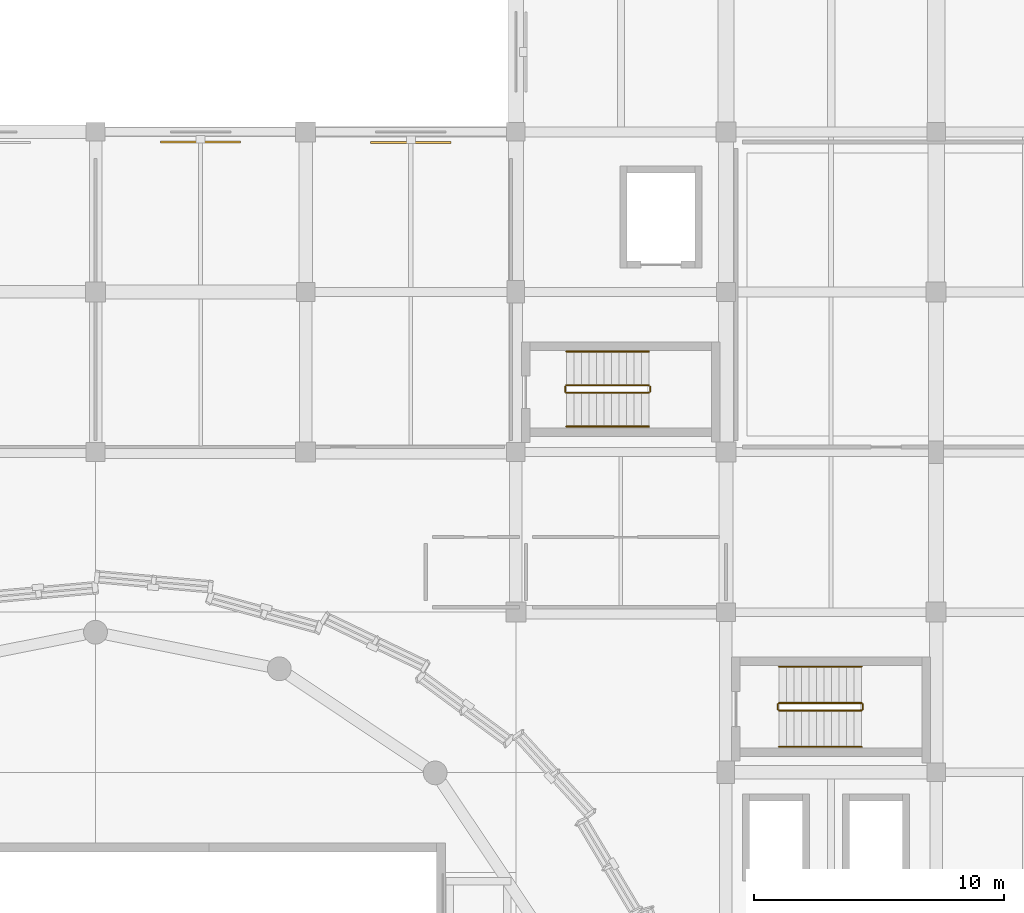
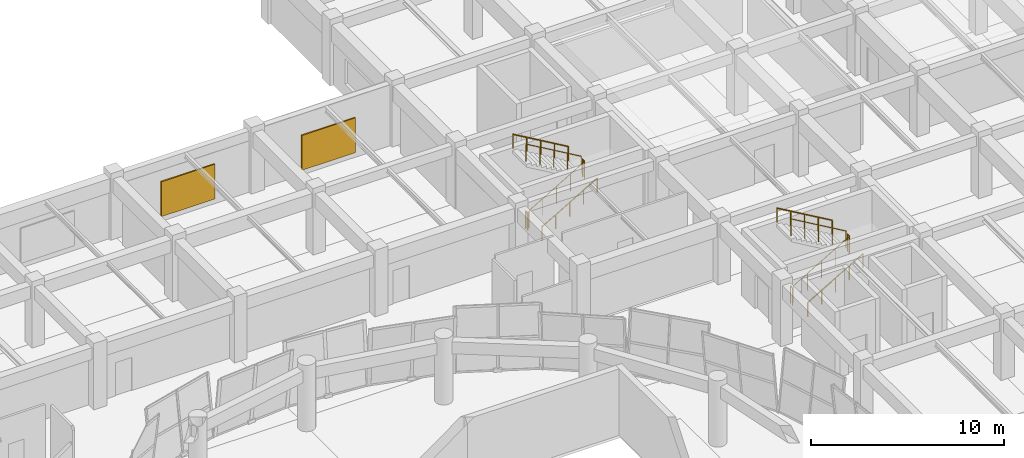
# One storey, part 68 of 71: 12 railings, 2 shading devices.
"""IFC4 building model written with IfcOpenShell, lengths in metres."""

from ifc_helpers import new_model, si_unit, direction, frame, origin, origin_2d, place, context, subcontext, project, spatial, rectangle, circle, extrude, material, layer, layer_set, type_object, element, save


model = new_model("IFC4")

# Units and contexts
model_context = context("Model", 3, precision=1e-05, world=origin(), true_north=direction((0.0, 1.0)))
body_context = subcontext(model_context, "Body", "Model", "MODEL_VIEW")
ifc_project = project(units=[si_unit("LENGTHUNIT", "METRE"), si_unit("AREAUNIT", "SQUARE_METRE"), si_unit("VOLUMEUNIT", "CUBIC_METRE"), si_unit("PLANEANGLEUNIT", "RADIAN"), si_unit("MASSUNIT", "GRAM", prefix="KILO")], contexts=[model_context])

# Site, building, storey
site_placement = place(None, origin())
site = spatial("IfcSite", under=ifc_project, at=site_placement, CompositionType="ELEMENT")
building_placement = place(site_placement, origin())
building = spatial("IfcBuilding", under=site, at=building_placement, Name="Korsvaeld Concert Hall", CompositionType="ELEMENT")
storey_placement = place(building_placement, frame((0.0, 0.0, 4.800048828125)))
storey = spatial("IfcBuildingStorey", under=building, at=storey_placement, Name="L01", CompositionType="ELEMENT", Elevation=4.800048828125)

# Railings
ifc_material_1 = material(Name="Powder-coated steel and bronze stair guardrail", Category="steel")
railing_type_1 = type_object("IfcRailingType", Name="RL-STAIR-GUARD-120", PredefinedType="GUARDRAIL", material=ifc_material_1)
railing_1_placement = place(storey_placement, frame((111.320068359375, 79.27001953125, 0.175048828125)))
element("IfcRailing", 1, at=railing_1_placement, inside=storey, type_object=railing_type_1, Name="L01 ST-K2 stair guard 1", PredefinedType="GUARDRAIL", context=body_context, shape_type="SweptSolid", body=[
    extrude(circle(Radius=0.02392578125, at=origin_2d()), frame((0.0, 0.0, 1.076171875), z_axis=(0.863804395585, 0.0, 0.503827317807), x_axis=(0.0, 1.0, 0.0)), (0.0, 0.0, 1.0), 3.8203125),
    extrude(circle(Radius=0.02099609375, at=origin_2d()), origin(), (0.0, 0.0, 1.0), 1.052001953125),
    extrude(circle(Radius=0.02099609375, at=origin_2d()), frame((0.824951171875, 0.0, 0.481201171875)), (0.0, 0.0, 1.0), 1.052001953125),
    extrude(circle(Radius=0.02099609375, at=origin_2d()), frame((1.64990234375, 0.0, 0.96240234375)), (0.0, 0.0, 1.0), 1.052001953125),
    extrude(circle(Radius=0.02099609375, at=origin_2d()), frame((2.47509765625, 0.0, 1.443603515625)), (0.0, 0.0, 1.0), 1.052001953125),
    extrude(circle(Radius=0.02099609375, at=origin_2d()), frame((3.300048828125, 0.0, 1.9248046875)), (0.0, 0.0, 1.0), 1.052001953125),
])
railing_2_placement = place(storey_placement, frame((114.669921875, 79.320068359375, 2.099853515625)))
element("IfcRailing", 2, at=railing_2_placement, inside=storey, type_object=railing_type_1, Name="L01 ST-K2 stair guard 2", PredefinedType="GUARDRAIL", context=body_context, shape_type="SweptSolid", body=[
    extrude(circle(Radius=0.02392578125, at=origin_2d()), frame((0.0, 0.0, 1.076171875), z_axis=(0.0, 1.0, 0.0), x_axis=(-1.0, 0.0, 0.0)), (0.0, 0.0, 1.0), 0.199951171875),
    extrude(circle(Radius=0.02099609375, at=origin_2d()), origin(), (0.0, 0.0, 1.0), 1.052001953125),
    extrude(circle(Radius=0.02099609375, at=origin_2d()), frame((0.0, 0.199951171875, 0.0)), (0.0, 0.0, 1.0), 1.052001953125),
])
railing_3_placement = place(storey_placement, frame((114.6201171875, 79.570068359375, 2.27490234375)))
element("IfcRailing", 3, at=railing_3_placement, inside=storey, type_object=railing_type_1, Name="L01 ST-K2 stair guard 3", PredefinedType="GUARDRAIL", context=body_context, shape_type="SweptSolid", body=[
    extrude(circle(Radius=0.02392578125, at=origin_2d()), frame((0.0, 0.0, 1.076171875), z_axis=(-0.863776583165, 0.0, 0.503874998761), x_axis=(0.0, -1.0, 0.0)), (0.0, 0.0, 1.0), 3.820556640625),
    extrude(circle(Radius=0.02099609375, at=origin_2d()), origin(), (0.0, 0.0, 1.0), 1.052001953125),
    extrude(circle(Radius=0.02099609375, at=origin_2d()), frame((-0.824951171875, 0.0, 0.481201171875)), (0.0, 0.0, 1.0), 1.052001953125),
    extrude(circle(Radius=0.02099609375, at=origin_2d()), frame((-1.64990234375, 0.0, 0.96240234375)), (0.0, 0.0, 1.0), 1.052001953125),
    extrude(circle(Radius=0.02099609375, at=origin_2d()), frame((-2.47509765625, 0.0, 1.44384765625)), (0.0, 0.0, 1.0), 1.052001953125),
    extrude(circle(Radius=0.02099609375, at=origin_2d()), frame((-3.300048828125, 0.0, 1.925048828125)), (0.0, 0.0, 1.0), 1.052001953125),
])
railing_4_placement = place(storey_placement, frame((111.27001953125, 79.320068359375, 0.0)))
element("IfcRailing", 4, at=railing_4_placement, inside=storey, type_object=railing_type_1, Name="L01 ST-K2 stair guard 4", PredefinedType="GUARDRAIL", context=body_context, shape_type="SweptSolid", body=[
    extrude(circle(Radius=0.02392578125, at=origin_2d()), frame((0.0, 0.0, 1.076171875), z_axis=(0.0, 1.0, 0.0), x_axis=(-1.0, 0.0, 0.0)), (0.0, 0.0, 1.0), 0.199951171875),
    extrude(circle(Radius=0.02099609375, at=origin_2d()), origin(), (0.0, 0.0, 1.0), 1.052001953125),
    extrude(circle(Radius=0.02099609375, at=origin_2d()), frame((0.0, 0.199951171875, 0.0)), (0.0, 0.0, 1.0), 1.052001953125),
])
railing_5_placement = place(storey_placement, frame((102.820068359375, 91.969970703125, 0.175048828125)))
element("IfcRailing", 5, at=railing_5_placement, inside=storey, type_object=railing_type_1, Name="L01 ST-K6 stair guard 1", PredefinedType="GUARDRAIL", context=body_context, shape_type="SweptSolid", body=[
    extrude(circle(Radius=0.02392578125, at=origin_2d()), frame((0.0, 0.0, 1.076171875), z_axis=(0.863804395585, 0.0, 0.503827317807), x_axis=(0.0, 1.0, 0.0)), (0.0, 0.0, 1.0), 3.8203125),
    extrude(circle(Radius=0.02099609375, at=origin_2d()), origin(), (0.0, 0.0, 1.0), 1.052001953125),
    extrude(circle(Radius=0.02099609375, at=origin_2d()), frame((0.824951171875, 0.0, 0.481201171875)), (0.0, 0.0, 1.0), 1.052001953125),
    extrude(circle(Radius=0.02099609375, at=origin_2d()), frame((1.64990234375, 0.0, 0.96240234375)), (0.0, 0.0, 1.0), 1.052001953125),
    extrude(circle(Radius=0.02099609375, at=origin_2d()), frame((2.47509765625, 0.0, 1.443603515625)), (0.0, 0.0, 1.0), 1.052001953125),
    extrude(circle(Radius=0.02099609375, at=origin_2d()), frame((3.300048828125, 0.0, 1.9248046875)), (0.0, 0.0, 1.0), 1.052001953125),
])
railing_6_placement = place(storey_placement, frame((106.169921875, 92.02001953125, 2.099853515625)))
element("IfcRailing", 6, at=railing_6_placement, inside=storey, type_object=railing_type_1, Name="L01 ST-K6 stair guard 2", PredefinedType="GUARDRAIL", context=body_context, shape_type="SweptSolid", body=[
    extrude(circle(Radius=0.02392578125, at=origin_2d()), frame((0.0, 0.0, 1.076171875), z_axis=(0.0, 1.0, 0.0), x_axis=(-1.0, 0.0, 0.0)), (0.0, 0.0, 1.0), 0.199951171875),
    extrude(circle(Radius=0.02099609375, at=origin_2d()), origin(), (0.0, 0.0, 1.0), 1.052001953125),
    extrude(circle(Radius=0.02099609375, at=origin_2d()), frame((0.0, 0.199951171875, 0.0)), (0.0, 0.0, 1.0), 1.052001953125),
])
railing_7_placement = place(storey_placement, frame((106.1201171875, 92.27001953125, 2.27490234375)))
element("IfcRailing", 7, at=railing_7_placement, inside=storey, type_object=railing_type_1, Name="L01 ST-K6 stair guard 3", PredefinedType="GUARDRAIL", context=body_context, shape_type="SweptSolid", body=[
    extrude(circle(Radius=0.02392578125, at=origin_2d()), frame((0.0, 0.0, 1.076171875), z_axis=(-0.863776583165, 0.0, 0.503874998761), x_axis=(0.0, -1.0, 0.0)), (0.0, 0.0, 1.0), 3.820556640625),
    extrude(circle(Radius=0.02099609375, at=origin_2d()), origin(), (0.0, 0.0, 1.0), 1.052001953125),
    extrude(circle(Radius=0.02099609375, at=origin_2d()), frame((-0.824951171875, 0.0, 0.481201171875)), (0.0, 0.0, 1.0), 1.052001953125),
    extrude(circle(Radius=0.02099609375, at=origin_2d()), frame((-1.64990234375, 0.0, 0.96240234375)), (0.0, 0.0, 1.0), 1.052001953125),
    extrude(circle(Radius=0.02099609375, at=origin_2d()), frame((-2.47509765625, 0.0, 1.44384765625)), (0.0, 0.0, 1.0), 1.052001953125),
    extrude(circle(Radius=0.02099609375, at=origin_2d()), frame((-3.300048828125, 0.0, 1.925048828125)), (0.0, 0.0, 1.0), 1.052001953125),
])
railing_8_placement = place(storey_placement, frame((102.77001953125, 92.02001953125, 0.0)))
element("IfcRailing", 8, at=railing_8_placement, inside=storey, type_object=railing_type_1, Name="L01 ST-K6 stair guard 4", PredefinedType="GUARDRAIL", context=body_context, shape_type="SweptSolid", body=[
    extrude(circle(Radius=0.02392578125, at=origin_2d()), frame((0.0, 0.0, 1.076171875), z_axis=(0.0, 1.0, 0.0), x_axis=(-1.0, 0.0, 0.0)), (0.0, 0.0, 1.0), 0.199951171875),
    extrude(circle(Radius=0.02099609375, at=origin_2d()), origin(), (0.0, 0.0, 1.0), 1.052001953125),
    extrude(circle(Radius=0.02099609375, at=origin_2d()), frame((0.0, 0.199951171875, 0.0)), (0.0, 0.0, 1.0), 1.052001953125),
])
ifc_material_2 = material(Name="European oak and bronze stair handrail")
railing_type_2 = type_object("IfcRailingType", Name="RL-STAIR-HAND-90", PredefinedType="HANDRAIL", material=ifc_material_2)
railing_9_placement = place(storey_placement, frame((111.320068359375, 77.820068359375, 0.175048828125)))
element("IfcRailing", 9, at=railing_9_placement, inside=storey, type_object=railing_type_2, Name="L01 ST-K2 stair handrail 1", PredefinedType="HANDRAIL", context=body_context, shape_type="SweptSolid", body=[
    extrude(circle(Radius=0.02392578125, at=origin_2d()), frame((0.0, 0.0, 0.8759765625), z_axis=(0.863804395585, 0.0, 0.503827317807), x_axis=(0.0, 1.0, 0.0)), (0.0, 0.0, 1.0), 3.8203125),
    extrude(circle(Radius=0.02099609375, at=origin_2d()), origin(), (0.0, 0.0, 1.0), 0.851806640625),
    extrude(circle(Radius=0.02099609375, at=origin_2d()), frame((0.824951171875, 0.0, 0.481201171875)), (0.0, 0.0, 1.0), 0.851806640625),
    extrude(circle(Radius=0.02099609375, at=origin_2d()), frame((1.64990234375, 0.0, 0.96240234375)), (0.0, 0.0, 1.0), 0.851806640625),
    extrude(circle(Radius=0.02099609375, at=origin_2d()), frame((2.47509765625, 0.0, 1.443603515625)), (0.0, 0.0, 1.0), 0.851806640625),
    extrude(circle(Radius=0.02099609375, at=origin_2d()), frame((3.300048828125, 0.0, 1.9248046875)), (0.0, 0.0, 1.0), 0.851806640625),
])
railing_10_placement = place(storey_placement, frame((114.6201171875, 81.02001953125, 2.27490234375)))
element("IfcRailing", 10, at=railing_10_placement, inside=storey, type_object=railing_type_2, Name="L01 ST-K2 stair handrail 2", PredefinedType="HANDRAIL", context=body_context, shape_type="SweptSolid", body=[
    extrude(circle(Radius=0.02392578125, at=origin_2d()), frame((0.0, 0.0, 0.8759765625), z_axis=(-0.863776583165, 0.0, 0.503874998761), x_axis=(0.0, -1.0, 0.0)), (0.0, 0.0, 1.0), 3.820556640625),
    extrude(circle(Radius=0.02099609375, at=origin_2d()), origin(), (0.0, 0.0, 1.0), 0.851806640625),
    extrude(circle(Radius=0.02099609375, at=origin_2d()), frame((-0.824951171875, 0.0, 0.481201171875)), (0.0, 0.0, 1.0), 0.851806640625),
    extrude(circle(Radius=0.02099609375, at=origin_2d()), frame((-1.64990234375, 0.0, 0.96240234375)), (0.0, 0.0, 1.0), 0.851806640625),
    extrude(circle(Radius=0.02099609375, at=origin_2d()), frame((-2.47509765625, 0.0, 1.44384765625)), (0.0, 0.0, 1.0), 0.851806640625),
    extrude(circle(Radius=0.02099609375, at=origin_2d()), frame((-3.300048828125, 0.0, 1.925048828125)), (0.0, 0.0, 1.0), 0.851806640625),
])
railing_11_placement = place(storey_placement, frame((102.820068359375, 90.6201171875, 0.175048828125)))
element("IfcRailing", 11, at=railing_11_placement, inside=storey, type_object=railing_type_2, Name="L01 ST-K6 stair handrail 1", PredefinedType="HANDRAIL", context=body_context, shape_type="SweptSolid", body=[
    extrude(circle(Radius=0.02392578125, at=origin_2d()), frame((0.0, 0.0, 0.8759765625), z_axis=(0.863804395585, 0.0, 0.503827317807), x_axis=(0.0, 1.0, 0.0)), (0.0, 0.0, 1.0), 3.8203125),
    extrude(circle(Radius=0.02099609375, at=origin_2d()), origin(), (0.0, 0.0, 1.0), 0.851806640625),
    extrude(circle(Radius=0.02099609375, at=origin_2d()), frame((0.824951171875, 0.0, 0.481201171875)), (0.0, 0.0, 1.0), 0.851806640625),
    extrude(circle(Radius=0.02099609375, at=origin_2d()), frame((1.64990234375, 0.0, 0.96240234375)), (0.0, 0.0, 1.0), 0.851806640625),
    extrude(circle(Radius=0.02099609375, at=origin_2d()), frame((2.47509765625, 0.0, 1.443603515625)), (0.0, 0.0, 1.0), 0.851806640625),
    extrude(circle(Radius=0.02099609375, at=origin_2d()), frame((3.300048828125, 0.0, 1.9248046875)), (0.0, 0.0, 1.0), 0.851806640625),
])
railing_12_placement = place(storey_placement, frame((106.1201171875, 93.6201171875, 2.27490234375)))
element("IfcRailing", 12, at=railing_12_placement, inside=storey, type_object=railing_type_2, Name="L01 ST-K6 stair handrail 2", PredefinedType="HANDRAIL", context=body_context, shape_type="SweptSolid", body=[
    extrude(circle(Radius=0.02392578125, at=origin_2d()), frame((0.0, 0.0, 0.8759765625), z_axis=(-0.863776583165, 0.0, 0.503874998761), x_axis=(0.0, -1.0, 0.0)), (0.0, 0.0, 1.0), 3.820556640625),
    extrude(circle(Radius=0.02099609375, at=origin_2d()), origin(), (0.0, 0.0, 1.0), 0.851806640625),
    extrude(circle(Radius=0.02099609375, at=origin_2d()), frame((-0.824951171875, 0.0, 0.481201171875)), (0.0, 0.0, 1.0), 0.851806640625),
    extrude(circle(Radius=0.02099609375, at=origin_2d()), frame((-1.64990234375, 0.0, 0.96240234375)), (0.0, 0.0, 1.0), 0.851806640625),
    extrude(circle(Radius=0.02099609375, at=origin_2d()), frame((-2.47509765625, 0.0, 1.44384765625)), (0.0, 0.0, 1.0), 0.851806640625),
    extrude(circle(Radius=0.02099609375, at=origin_2d()), frame((-3.300048828125, 0.0, 1.925048828125)), (0.0, 0.0, 1.0), 0.851806640625),
])

# Shading devices
ifc_material_3 = material(Name="Anodised architectural bronze pierced jali screen")
ifc_layer = layer(ifc_material_3, 0.080078125)
ifc_layer_set = layer_set([ifc_layer], Name="Anodised architectural bronze pierced jali screen")
shading_device_type = type_object("IfcShadingDeviceType", Name="SHD-JALI-BRONZE", PredefinedType="JALOUSIE", material=ifc_layer_set)
for number, where, z_axis, x_axis, name in (
    (13, (88.199951171875, 101.985107421875, 0.5), (0.0, 0.0, 1.0), (1.0, 0.0, 0.0), "Bronze pierced jali brise-soleil screen L01-23"),
    (14, (96.60009765625, 101.969970703125, 0.5), (0.0, 0.0, 1.0), (1.0, 0.0, 0.0), "Bronze pierced jali brise-soleil screen L01-24"),
):
    element("IfcShadingDevice", number, at=place(storey_placement, frame(where, z_axis=z_axis, x_axis=x_axis)), inside=storey, type_object=shading_device_type, Name=name, PredefinedType="JALOUSIE", context=body_context, shape_type="SweptSolid", body=[
        extrude(rectangle(XDim=3.199951171875, YDim=0.080078125, at=origin_2d()), origin(), (0.0, 0.0, 1.0), 2.199951171875),
    ])

save(model, "model.ifc")
